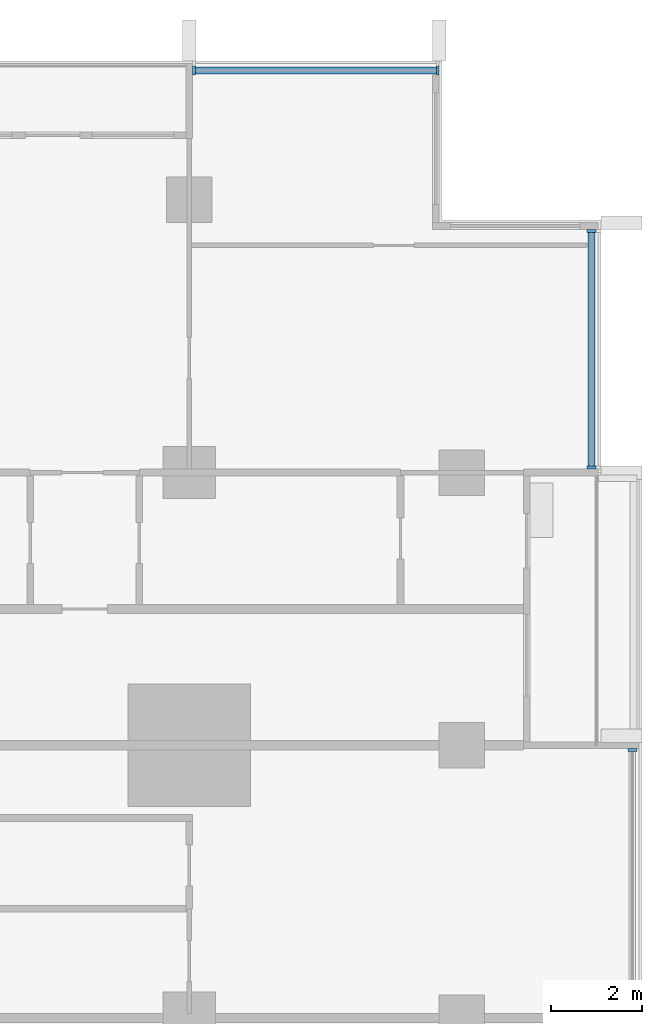
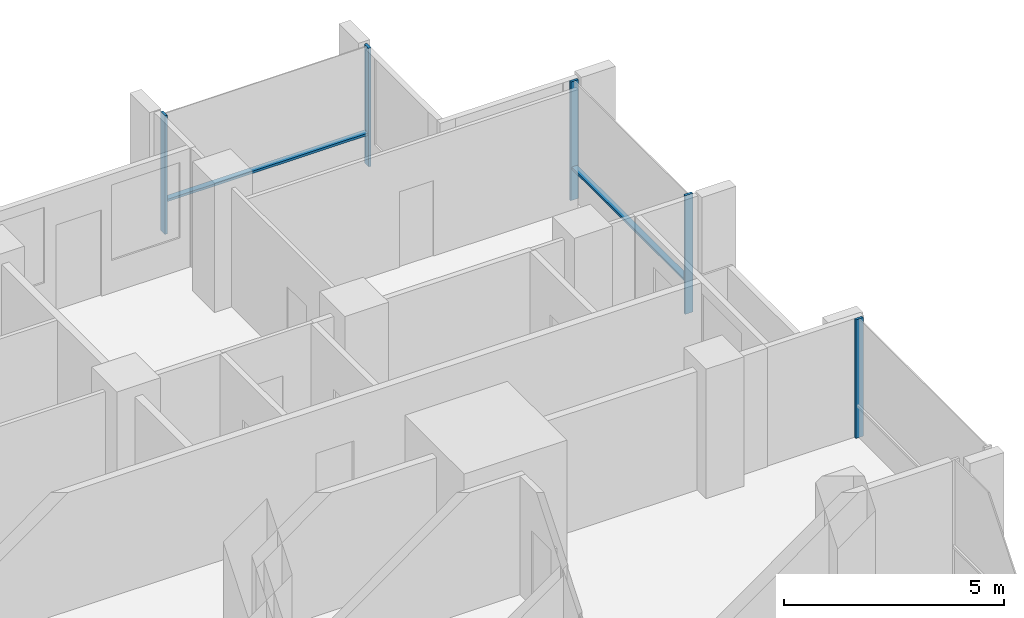
# One storey, part 5 of 17: 7 members, 3 elements without a shape of their own.
"""IFC4 building model written with IfcOpenShell, lengths in metres."""

from ifc_helpers import new_model, si_unit, direction, frame, origin, origin_2d, place, context, subcontext, project, spatial, rectangle, extrude, material, material_profile, profile_set, type_object, element, aggregate, save


model = new_model("IFC4")

# Units and contexts
model_context = context("Model", 3, precision=1e-05, world=origin(), true_north=direction((0.0, 1.0)))
body_context = subcontext(model_context, "Body", "Model", "MODEL_VIEW")
ifc_project = project(units=[si_unit("LENGTHUNIT", "METRE"), si_unit("AREAUNIT", "SQUARE_METRE"), si_unit("VOLUMEUNIT", "CUBIC_METRE"), si_unit("PLANEANGLEUNIT", "RADIAN"), si_unit("MASSUNIT", "GRAM", prefix="KILO")], contexts=[model_context])

# Site, building, storey
site_placement = place(None, origin())
site = spatial("IfcSite", under=ifc_project, at=site_placement, CompositionType="ELEMENT")
building_placement = place(site_placement, origin())
building = spatial("IfcBuilding", under=site, at=building_placement, Name="Finial Court Residences", CompositionType="ELEMENT")
storey_placement = place(building_placement, frame((0.0, 0.0, 124.300048828125)))
storey = spatial("IfcBuildingStorey", under=building, at=storey_placement, Name="L31", CompositionType="ELEMENT", Elevation=124.300048828125)

# Curtain wall, members
ifc_material = material(Name="Bronze anodised aluminium", Category="aluminium")
curtain_wall_type = type_object("IfcCurtainWallType", Name="Unitised curtain wall, lower and middle zones", PredefinedType="NOTDEFINED", material=ifc_material)
curtain_wall_1_placement = place(storey_placement, origin())
curtain_wall_1 = element("IfcCurtainWall", 1, at=curtain_wall_1_placement, inside=storey, type_object=curtain_wall_type, Name="E-L31-CW-N3", PredefinedType="NOTDEFINED")
ifc_material_profile_1 = material_profile(ifc_material, rectangle(XDim=0.199951171875, YDim=0.06494140625, at=origin_2d()), Name="CW1 mullion 65 x 200")
ifc_profile_set_1 = profile_set([ifc_material_profile_1], Name="Bronze anodised aluminium")
member_type_1 = type_object("IfcMemberType", Name="CW1 mullion 65 x 200", PredefinedType="MULLION", material=ifc_profile_set_1)
member_1_placement = place(storey_placement, frame((16.607421875, 22.35009765625, 0.0), z_axis=(0.0, 0.0, 1.0), x_axis=(0.0, 1.0, 0.0)))
member_1 = element("IfcMember", 2, at=member_1_placement, type_object=member_type_1, Name="CW1 mullion 1", PredefinedType="MULLION", context=body_context, shape_type="SweptSolid", body=[
    extrude(rectangle(XDim=0.199951171875, YDim=0.06494140625, at=origin_2d()), origin(), (0.0, 0.0, 1.0), 3.300048828125),
])
member_2_placement = place(storey_placement, frame((21.967529296875, 22.35009765625, 0.0), z_axis=(0.0, 0.0, 1.0), x_axis=(0.0, 1.0, 0.0)))
member_2 = element("IfcMember", 3, at=member_2_placement, type_object=member_type_1, Name="CW1 mullion 2", PredefinedType="MULLION", context=body_context, shape_type="SweptSolid", body=[
    extrude(rectangle(XDim=0.199951171875, YDim=0.06494140625, at=origin_2d()), origin(), (0.0, 0.0, 1.0), 3.300048828125),
])

# Curtain wall, member
curtain_wall_2_placement = place(storey_placement, origin())
curtain_wall_2 = element("IfcCurtainWall", 4, at=curtain_wall_2_placement, inside=storey, type_object=curtain_wall_type, Name="E-L31-CW-E5", PredefinedType="NOTDEFINED")
member_3_placement = place(storey_placement, frame((26.25, 7.392578125, 0.0), z_axis=(0.0, 0.0, 1.0), x_axis=(-1.0, 0.0, 0.0)))
member_3 = element("IfcMember", 5, at=member_3_placement, type_object=member_type_1, Name="CW1 mullion 2", PredefinedType="MULLION", context=body_context, shape_type="SweptSolid", body=[
    extrude(rectangle(XDim=0.199951171875, YDim=0.06494140625, at=origin_2d()), origin(), (0.0, 0.0, 1.0), 3.300048828125),
])
aggregate(curtain_wall_2, [member_3])

# Curtain wall, members
curtain_wall_3_placement = place(storey_placement, origin())
curtain_wall_3 = element("IfcCurtainWall", 6, at=curtain_wall_3_placement, inside=storey, type_object=curtain_wall_type, Name="E-L31-CW-E6", PredefinedType="NOTDEFINED")
member_4_placement = place(storey_placement, frame((25.35009765625, 13.607421875, 0.0), z_axis=(0.0, 0.0, 1.0), x_axis=(-1.0, 0.0, 0.0)))
member_4 = element("IfcMember", 7, at=member_4_placement, type_object=member_type_1, Name="CW1 mullion 1", PredefinedType="MULLION", context=body_context, shape_type="SweptSolid", body=[
    extrude(rectangle(XDim=0.199951171875, YDim=0.06494140625, at=origin_2d()), origin(), (0.0, 0.0, 1.0), 3.300048828125),
])
member_5_placement = place(storey_placement, frame((25.35009765625, 18.8173828125, 0.0), z_axis=(0.0, 0.0, 1.0), x_axis=(-1.0, 0.0, 0.0)))
member_5 = element("IfcMember", 8, at=member_5_placement, type_object=member_type_1, Name="CW1 mullion 2", PredefinedType="MULLION", context=body_context, shape_type="SweptSolid", body=[
    extrude(rectangle(XDim=0.199951171875, YDim=0.06494140625, at=origin_2d()), origin(), (0.0, 0.0, 1.0), 3.300048828125),
])

# Member
ifc_material_profile_2 = material_profile(ifc_material, rectangle(XDim=0.14990234375, YDim=0.06494140625, at=origin_2d()), Name="CW1 transom 65 x 150")
ifc_profile_set_2 = profile_set([ifc_material_profile_2], Name="Bronze anodised aluminium")
member_type_2 = type_object("IfcMemberType", Name="CW1 transom 65 x 150", PredefinedType="USERDEFINED", material=ifc_profile_set_2)
member_6_placement = place(storey_placement, frame((16.639892578125, 22.35009765625, 0.89990234375), z_axis=(1.0, 0.0, 0.0), x_axis=(0.0, 1.0, 0.0)))
member_6 = element("IfcMember", 9, at=member_6_placement, type_object=member_type_2, Name="CW1 transom 1.1", ObjectType="TRANSOM", PredefinedType="USERDEFINED", context=body_context, shape_type="SweptSolid", body=[
    extrude(rectangle(XDim=0.14990234375, YDim=0.06494140625, at=origin_2d()), origin(), (0.0, 0.0, 1.0), 5.295166015625),
])

aggregate(curtain_wall_1, [member_1, member_2, member_6])

member_7_placement = place(storey_placement, frame((25.35009765625, 13.639892578125, 0.89990234375), z_axis=(0.0, 1.0, 0.0), x_axis=(-1.0, 0.0, 0.0)))
member_7 = element("IfcMember", 10, at=member_7_placement, type_object=member_type_2, Name="CW1 transom 1.1", ObjectType="TRANSOM", PredefinedType="USERDEFINED", context=body_context, shape_type="SweptSolid", body=[
    extrude(rectangle(XDim=0.14990234375, YDim=0.06494140625, at=origin_2d()), origin(), (0.0, 0.0, 1.0), 5.14501953125),
])

aggregate(curtain_wall_3, [member_4, member_5, member_7])

save(model, "model.ifc")
